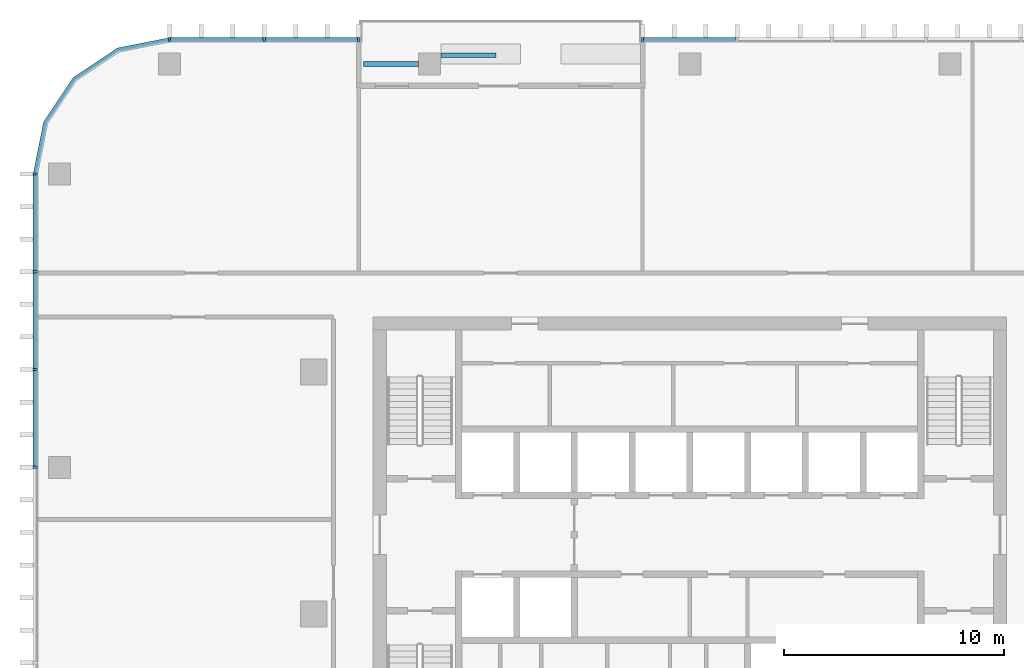
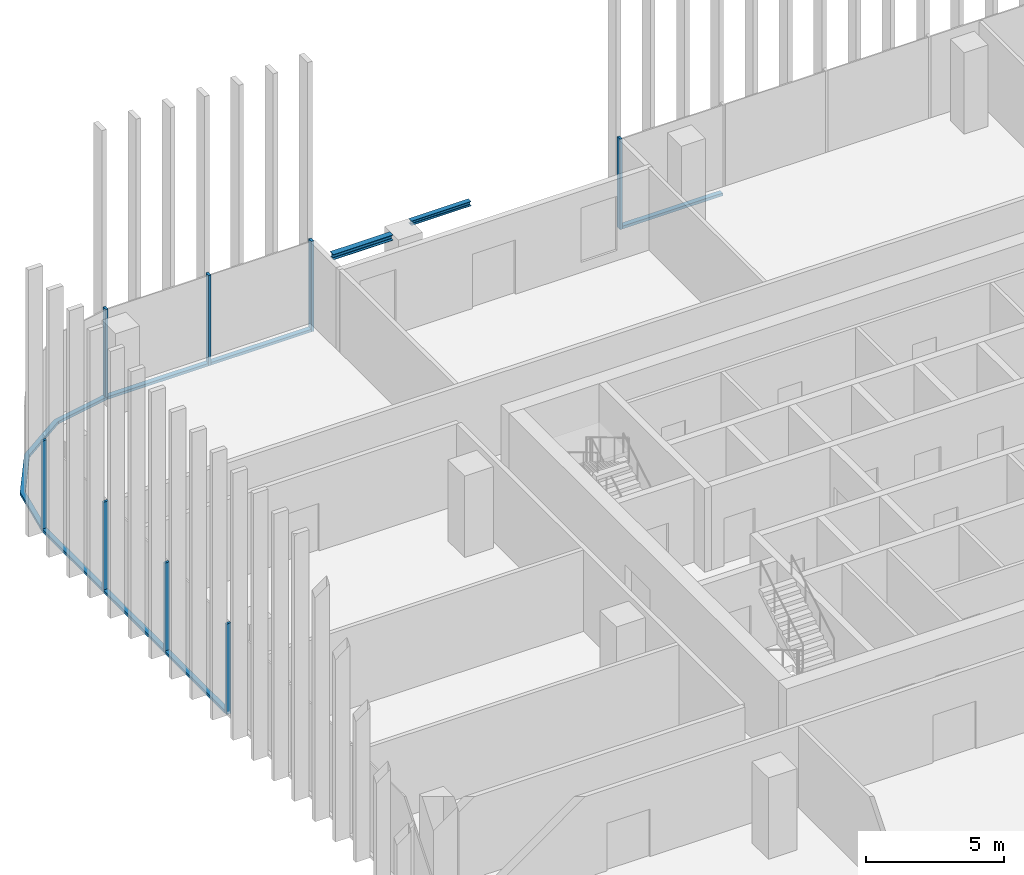
# One storey, part 4 of 16: 15 members, 2 beams, 4 elements without a shape of their own.
"""IFC4 building model written with IfcOpenShell, lengths in metres."""

from ifc_helpers import new_model, si_unit, direction, frame, origin, origin_2d, place, context, subcontext, project, spatial, polyline, rectangle, i_section, outline, extrude, material, material_profile, profile_set, type_object, element, aggregate, save


model = new_model("IFC4")

# Units and contexts
model_context = context("Model", 3, precision=1e-05, world=origin(), true_north=direction((0.0, 1.0)))
body_context = subcontext(model_context, "Body", "Model", "MODEL_VIEW")
ifc_project = project(units=[si_unit("LENGTHUNIT", "METRE"), si_unit("AREAUNIT", "SQUARE_METRE"), si_unit("VOLUMEUNIT", "CUBIC_METRE"), si_unit("PLANEANGLEUNIT", "RADIAN"), si_unit("MASSUNIT", "GRAM", prefix="KILO")], contexts=[model_context])

# Site, building, storey
site_placement = place(None, origin())
site = spatial("IfcSite", under=ifc_project, at=site_placement, CompositionType="ELEMENT")
building_placement = place(site_placement, origin())
building = spatial("IfcBuilding", under=site, at=building_placement, Name="Mopane Tessera Tower", CompositionType="ELEMENT")
storey_placement = place(building_placement, frame((0.0, 0.0, 303.39990234375)))
storey = spatial("IfcBuildingStorey", under=building, at=storey_placement, Name="L66", CompositionType="ELEMENT", Elevation=303.39990234375)

# Curtain wall, member
ifc_material_1 = material(Name="Aluminium frame", Category="aluminium")
curtain_wall_type = type_object("IfcCurtainWallType", Name="Unitised curtain wall", PredefinedType="NOTDEFINED", material=ifc_material_1)
curtain_wall_1_placement = place(storey_placement, origin())
curtain_wall_1 = element("IfcCurtainWall", 1, at=curtain_wall_1_placement, inside=storey, type_object=curtain_wall_type, Name="e:cw:L66:N:0", PredefinedType="NOTDEFINED")
ifc_material_2 = material(Name="Aluminium frame", Category="aluminium")
ifc_material_profile_1 = material_profile(ifc_material_2, rectangle(XDim=0.10009765625, YDim=0.199951171875, at=origin_2d()))
ifc_profile_set_1 = profile_set([ifc_material_profile_1], Name="Aluminium frame")
member_type_1 = type_object("IfcMemberType", Name="Aluminium mullion 100 x 200", PredefinedType="MULLION", material=ifc_profile_set_1)
member_1_placement = place(storey_placement, frame((-2.14990234375, 26.10009765625, -0.39990234375), z_axis=(0.0, 0.0, 1.0), x_axis=(-1.0, 0.0, 0.0)))
member_1 = element("IfcMember", 2, at=member_1_placement, type_object=member_type_1, Name="e:cw:L66:N:0:mu6", PredefinedType="MULLION", context=body_context, shape_type="SweptSolid", body=[
    extrude(rectangle(XDim=0.10009765625, YDim=0.199951171875, at=origin_2d()), origin(), (0.0, 0.0, 1.0), 4.0),
])

# Curtain wall, members
curtain_wall_2_placement = place(storey_placement, origin())
curtain_wall_2 = element("IfcCurtainWall", 3, at=curtain_wall_2_placement, inside=storey, type_object=curtain_wall_type, Name="e:cw:L66:N:9", PredefinedType="NOTDEFINED")
member_2_placement = place(storey_placement, frame((-15.050048828125, 26.10009765625, -0.39990234375), z_axis=(0.0, 0.0, 1.0), x_axis=(-1.0, 0.0, 0.0)))
member_2 = element("IfcMember", 4, at=member_2_placement, type_object=member_type_1, Name="e:cw:L66:N:9:mu9", PredefinedType="MULLION", context=body_context, shape_type="SweptSolid", body=[
    extrude(rectangle(XDim=0.10009765625, YDim=0.199951171875, at=origin_2d()), origin(), (0.0, 0.0, 1.0), 4.0),
])
member_3_placement = place(storey_placement, frame((-19.35009765625, 26.10009765625, -0.39990234375), z_axis=(0.0, 0.0, 1.0), x_axis=(-1.0, 0.0, 0.0)))
member_3 = element("IfcMember", 5, at=member_3_placement, type_object=member_type_1, Name="e:cw:L66:N:9:mu10", PredefinedType="MULLION", context=body_context, shape_type="SweptSolid", body=[
    extrude(rectangle(XDim=0.10009765625, YDim=0.199951171875, at=origin_2d()), origin(), (0.0, 0.0, 1.0), 4.0),
])
member_4_placement = place(storey_placement, frame((-23.64990234375, 26.10009765625, -0.39990234375), z_axis=(0.0, 0.0, 1.0), x_axis=(-1.0, 0.0, 0.0)))
member_4 = element("IfcMember", 6, at=member_4_placement, type_object=member_type_1, Name="e:cw:L66:N:9:mu11", PredefinedType="MULLION", context=body_context, shape_type="SweptSolid", body=[
    extrude(rectangle(XDim=0.10009765625, YDim=0.199951171875, at=origin_2d()), origin(), (0.0, 0.0, 1.0), 4.0),
])

curtain_wall_3_placement = place(storey_placement, origin())
curtain_wall_3 = element("IfcCurtainWall", 7, at=curtain_wall_3_placement, inside=storey, type_object=curtain_wall_type, Name="e:cw:L66:W:0", PredefinedType="NOTDEFINED")
member_5_placement = place(storey_placement, frame((-29.75, 20.0, -0.39990234375), z_axis=(0.0, 0.0, 1.0), x_axis=(0.0, -1.0, 0.0)))
member_5 = element("IfcMember", 8, at=member_5_placement, type_object=member_type_1, Name="e:cw:L66:W:0:mu0", PredefinedType="MULLION", context=body_context, shape_type="SweptSolid", body=[
    extrude(rectangle(XDim=0.10009765625, YDim=0.199951171875, at=origin_2d()), origin(), (0.0, 0.0, 1.0), 4.0),
])
member_6_placement = place(storey_placement, frame((-29.75, 15.5556640625, -0.39990234375), z_axis=(0.0, 0.0, 1.0), x_axis=(0.0, -1.0, 0.0)))
member_6 = element("IfcMember", 9, at=member_6_placement, type_object=member_type_1, Name="e:cw:L66:W:0:mu1", PredefinedType="MULLION", context=body_context, shape_type="SweptSolid", body=[
    extrude(rectangle(XDim=0.10009765625, YDim=0.199951171875, at=origin_2d()), origin(), (0.0, 0.0, 1.0), 4.0),
])
member_7_placement = place(storey_placement, frame((-29.75, 11.111083984375, -0.39990234375), z_axis=(0.0, 0.0, 1.0), x_axis=(0.0, -1.0, 0.0)))
member_7 = element("IfcMember", 10, at=member_7_placement, type_object=member_type_1, Name="e:cw:L66:W:0:mu2", PredefinedType="MULLION", context=body_context, shape_type="SweptSolid", body=[
    extrude(rectangle(XDim=0.10009765625, YDim=0.199951171875, at=origin_2d()), origin(), (0.0, 0.0, 1.0), 4.0),
])
member_8_placement = place(storey_placement, frame((-29.75, 6.666748046875, -0.39990234375), z_axis=(0.0, 0.0, 1.0), x_axis=(0.0, -1.0, 0.0)))
member_8 = element("IfcMember", 11, at=member_8_placement, type_object=member_type_1, Name="e:cw:L66:W:0:mu3", PredefinedType="MULLION", context=body_context, shape_type="SweptSolid", body=[
    extrude(rectangle(XDim=0.10009765625, YDim=0.199951171875, at=origin_2d()), origin(), (0.0, 0.0, 1.0), 4.0),
])

# Member
ifc_material_3 = material(Name="Aluminium frame", Category="aluminium")
ifc_material_profile_2 = material_profile(ifc_material_3, rectangle(XDim=0.199951171875, YDim=0.1201171875, at=origin_2d()))
ifc_profile_set_2 = profile_set([ifc_material_profile_2], Name="Aluminium frame")
member_type_2 = type_object("IfcMemberType", Name="Aluminium transom 200 x 120", PredefinedType="USERDEFINED", material=ifc_profile_set_2)
member_9_placement = place(storey_placement, frame((2.10009765625, 26.10009765625, -0.33984375), z_axis=(-1.0, 0.0, 0.0), x_axis=(0.0, -1.0, 0.0)))
member_9 = element("IfcMember", 12, at=member_9_placement, type_object=member_type_2, Name="e:cw:L66:N:0:tr5", ObjectType="TRANSOM", PredefinedType="USERDEFINED", context=body_context, shape_type="SweptSolid", body=[
    extrude(rectangle(XDim=0.199951171875, YDim=0.1201171875, at=origin_2d()), origin(), (0.0, 0.0, 1.0), 4.2001953125),
])

aggregate(curtain_wall_1, [member_1, member_9])

member_10_placement = place(storey_placement, frame((-15.10009765625, 26.10009765625, -0.33984375), z_axis=(-1.0, 0.0, 0.0), x_axis=(0.0, -1.0, 0.0)))
member_10 = element("IfcMember", 13, at=member_10_placement, type_object=member_type_2, Name="e:cw:L66:N:9:tr9", ObjectType="TRANSOM", PredefinedType="USERDEFINED", context=body_context, shape_type="SweptSolid", body=[
    extrude(rectangle(XDim=0.199951171875, YDim=0.1201171875, at=origin_2d()), origin(), (0.0, 0.0, 1.0), 4.199951171875),
])

member_11_placement = place(storey_placement, frame((-19.39990234375, 26.10009765625, -0.33984375), z_axis=(-1.0, 0.0, 0.0), x_axis=(0.0, -1.0, 0.0)))
member_11 = element("IfcMember", 14, at=member_11_placement, type_object=member_type_2, Name="e:cw:L66:N:9:tr10", ObjectType="TRANSOM", PredefinedType="USERDEFINED", context=body_context, shape_type="SweptSolid", body=[
    extrude(rectangle(XDim=0.199951171875, YDim=0.1201171875, at=origin_2d()), origin(), (0.0, 0.0, 1.0), 4.2001953125),
])

aggregate(curtain_wall_2, [member_2, member_3, member_4, member_10, member_11])

# Curtain wall, member
curtain_wall_4_placement = place(storey_placement, origin())
curtain_wall_4 = element("IfcCurtainWall", 15, at=curtain_wall_4_placement, inside=storey, type_object=curtain_wall_type, Name="e:cw:L66:CN", PredefinedType="NOTDEFINED")
member_12_placement = place(storey_placement, frame((0.0, 0.0, -0.39990234375)))
member_12 = element("IfcMember", 16, at=member_12_placement, type_object=member_type_2, Name="e:cw:L66:CN:tr", ObjectType="TRANSOM", PredefinedType="USERDEFINED", context=body_context, shape_type="SweptSolid", body=[
    extrude(outline(polyline([(-23.64990234375, 26.0), (-25.946044921875, 25.543212890625), (-27.892578125, 24.24267578125), (-29.193359375, 22.296142578125), (-29.64990234375, 20.0), (-29.85009765625, 20.0), (-29.378173828125, 22.37255859375), (-28.0341796875, 24.384033203125), (-26.022705078125, 25.72802734375), (-23.64990234375, 26.199951171875), (-23.64990234375, 26.0)])), origin(), (0.0, 0.0, 1.0), 0.1201171875),
])
aggregate(curtain_wall_4, [member_12])

# Member
member_13_placement = place(storey_placement, frame((-29.75, 19.949951171875, -0.33984375), z_axis=(0.0, -1.0, 0.0), x_axis=(1.0, 0.0, 0.0)))
member_13 = element("IfcMember", 17, at=member_13_placement, type_object=member_type_2, Name="e:cw:L66:W:0:tr0", ObjectType="TRANSOM", PredefinedType="USERDEFINED", context=body_context, shape_type="SweptSolid", body=[
    extrude(rectangle(XDim=0.199951171875, YDim=0.1201171875, at=origin_2d()), origin(), (0.0, 0.0, 1.0), 4.344482421875),
])

member_14_placement = place(storey_placement, frame((-29.75, 15.505615234375, -0.33984375), z_axis=(0.0, -1.0, 0.0), x_axis=(1.0, 0.0, 0.0)))
member_14 = element("IfcMember", 18, at=member_14_placement, type_object=member_type_2, Name="e:cw:L66:W:0:tr1", ObjectType="TRANSOM", PredefinedType="USERDEFINED", context=body_context, shape_type="SweptSolid", body=[
    extrude(rectangle(XDim=0.199951171875, YDim=0.1201171875, at=origin_2d()), origin(), (0.0, 0.0, 1.0), 4.344482421875),
])

member_15_placement = place(storey_placement, frame((-29.75, 11.06103515625, -0.33984375), z_axis=(0.0, -1.0, 0.0), x_axis=(1.0, 0.0, 0.0)))
member_15 = element("IfcMember", 19, at=member_15_placement, type_object=member_type_2, Name="e:cw:L66:W:0:tr2", ObjectType="TRANSOM", PredefinedType="USERDEFINED", context=body_context, shape_type="SweptSolid", body=[
    extrude(rectangle(XDim=0.199951171875, YDim=0.1201171875, at=origin_2d()), origin(), (0.0, 0.0, 1.0), 4.344482421875),
])

aggregate(curtain_wall_3, [member_5, member_6, member_7, member_8, member_13, member_14, member_15])

# Beams
ifc_material_4 = material(Name="Structural steel S460", Category="steel")
ifc_material_profile_3 = material_profile(ifc_material_4, i_section(OverallWidth=0.239990234375, OverallDepth=0.239990234375, WebThickness=0.010009765625, FlangeThickness=0.01708984375, FilletRadius=0.02099609375, at=origin_2d()))
ifc_profile_set_3 = profile_set([ifc_material_profile_3], Name="Structural steel S460")
beam_type_1 = type_object("IfcBeamType", Name="Terrace spandrel beam HE 240 B", PredefinedType="SPANDREL", material=ifc_profile_set_3)
beam_1_placement = place(storey_placement, frame((-12.327880859375, 25.0, 3.47998046875), z_axis=(-1.0, 0.0, 0.0), x_axis=(0.0, -1.0, 0.0)))
element("IfcBeam", 20, at=beam_1_placement, inside=storey, type_object=beam_type_1, Name="Terrace spandrel beam N2 L67", PredefinedType="SPANDREL", context=body_context, shape_type="SweptSolid", body=[
    extrude(i_section(OverallWidth=0.239990234375, OverallDepth=0.239990234375, WebThickness=0.010009765625, FlangeThickness=0.01708984375, FilletRadius=0.02099609375, at=origin_2d()), origin(), (0.0, 0.0, 1.0), 2.5),
])
ifc_material_5 = material(Name="Structural steel S460", Category="steel")
ifc_material_profile_4 = material_profile(ifc_material_5, i_section(OverallWidth=0.199951171875, OverallDepth=0.199951171875, WebThickness=0.009033203125, FlangeThickness=0.014892578125, FilletRadius=0.01806640625, at=origin_2d()))
ifc_profile_set_4 = profile_set([ifc_material_profile_4], Name="Structural steel S460")
beam_type_2 = type_object("IfcBeamType", Name="Terrace trimmer beam HE 200 B", PredefinedType="BEAM", material=ifc_profile_set_4)
beam_2_placement = place(storey_placement, frame((-11.322021484375, 25.39990234375, 3.5), z_axis=(1.0, 0.0, 0.0), x_axis=(0.0, 1.0, 0.0)))
element("IfcBeam", 21, at=beam_2_placement, inside=storey, type_object=beam_type_2, Name="Terrace trimmer beam N2 L67", PredefinedType="BEAM", context=body_context, shape_type="SweptSolid", body=[
    extrude(i_section(OverallWidth=0.199951171875, OverallDepth=0.199951171875, WebThickness=0.009033203125, FlangeThickness=0.014892578125, FilletRadius=0.01806640625, at=origin_2d()), origin(), (0.0, 0.0, 1.0), 2.5),
])

save(model, "model.ifc")
